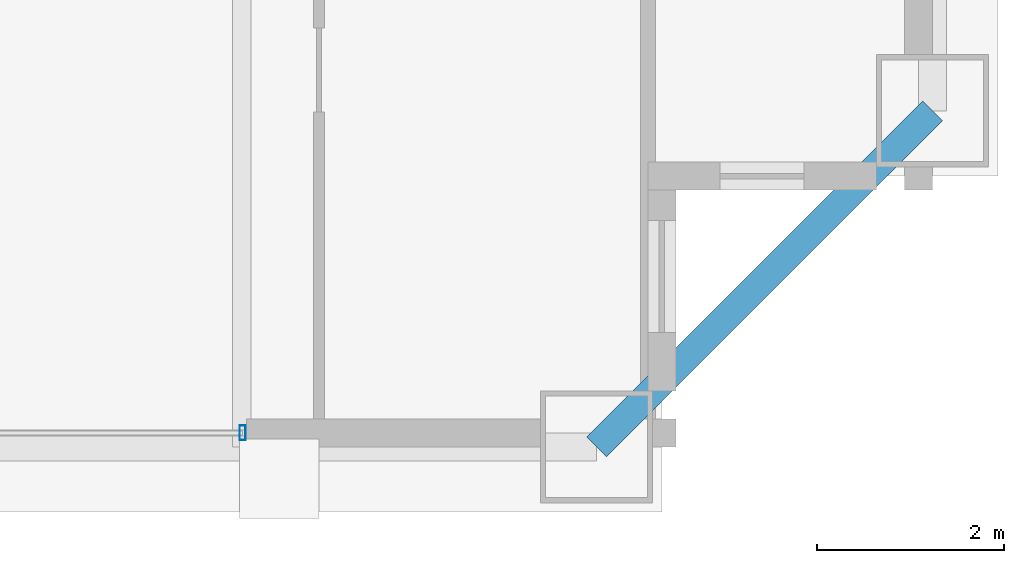
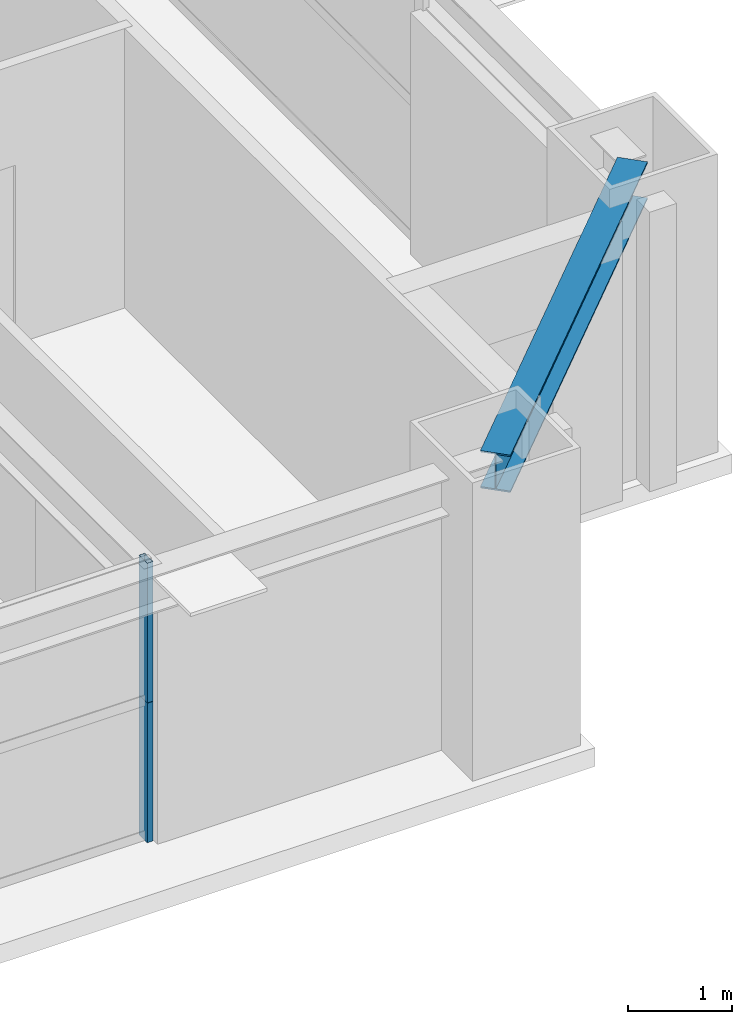
# One storey, part 15 of 37: 2 members, 1 beam, 1 element without a shape of its own.
"""IFC4 building model written with IfcOpenShell, lengths in metres."""

from ifc_helpers import new_model, si_unit, direction, frame, origin, origin_2d, place, context, subcontext, project, spatial, hollow_rectangle, i_section, extrude, source, transform, mapped, material, layer, layer_set, material_profile, profile_set, type_object, element, aggregate, save


model = new_model("IFC4")

# Units and contexts
model_context = context("Model", 3, precision=1e-05, world=origin(), true_north=direction((0.0, 1.0)))
body_context = subcontext(model_context, "Body", "Model", "MODEL_VIEW")
ifc_project = project(units=[si_unit("LENGTHUNIT", "METRE"), si_unit("AREAUNIT", "SQUARE_METRE"), si_unit("VOLUMEUNIT", "CUBIC_METRE"), si_unit("PLANEANGLEUNIT", "RADIAN"), si_unit("MASSUNIT", "GRAM", prefix="KILO"), si_unit("THERMODYNAMICTEMPERATUREUNIT", "KELVIN"), si_unit("POWERUNIT", "WATT")], contexts=[model_context])

# Site, building, storey
site_placement = place(None, origin())
site = spatial("IfcSite", under=ifc_project, at=site_placement, CompositionType="ELEMENT")
building_placement = place(site_placement, origin())
building = spatial("IfcBuilding", under=site, at=building_placement, Name="Yuzanri Waterfront Tower", CompositionType="ELEMENT")
storey_placement = place(building_placement, frame((0.0, 0.0, 252.10009765625)))
storey = spatial("IfcBuildingStorey", under=building, at=storey_placement, Name="L67", CompositionType="ELEMENT", Elevation=252.10009765625)

# Beam
ifc_material_1 = material(Name="Steel Q355B", Category="steel")
ifc_material_profile_1 = material_profile(ifc_material_1, i_section(OverallWidth=0.300048828125, OverallDepth=0.43994140625, WebThickness=0.010986328125, FlangeThickness=0.01806640625, at=origin_2d()), Name="HM 440x300x11x18")
ifc_profile_set_1 = profile_set([ifc_material_profile_1], Name="Steel Q355B")
beam_type = type_object("IfcBeamType", Name="Perimeter Spandrel Q355B HM 440x300", PredefinedType="SPANDREL", material=ifc_profile_set_1)
shared_shape_1 = source(origin(), body_context, "Body", "SweptSolid", [
    extrude(i_section(OverallWidth=0.300048828125, OverallDepth=0.43994140625, WebThickness=0.010986328125, FlangeThickness=0.01806640625, at=origin_2d()), origin(), (0.0, 0.0, 1.0), 5.09130859375),
])
beam_placement = place(storey_placement, frame((54.0, 5.199951171875, 3.059814453125), z_axis=(0.707106781187, 0.707106781187, 0.0), x_axis=(-0.707106781187, 0.707106781187, 0.0)))
element("IfcBeam", 1, at=beam_placement, inside=storey, type_object=beam_type, Name="L67 Perimeter Spandrel S3-E1", PredefinedType="SPANDREL", context=body_context, shape_type="MappedRepresentation", body=[
    mapped(shared_shape_1, transform((0.0, 0.0, 0.0), scale=1.0)),
])

# Curtain wall, members
ifc_material_2 = material(Name="Anodized Architectural Bronze", Category="metal")
ifc_layer = layer(ifc_material_2, 0.159912109375)
ifc_layer_set = layer_set([ifc_layer], Name="Anodized Architectural Bronze")
curtain_wall_type = type_object("IfcCurtainWallType", Name="Anodized Bronze Mid-Rise Residential Acoustic Unitized Curtain Wall 7200", PredefinedType="NOTDEFINED", material=ifc_layer_set)
curtain_wall_placement = place(storey_placement, origin())
curtain_wall = element("IfcCurtainWall", 2, at=curtain_wall_placement, inside=storey, type_object=curtain_wall_type, Name="L67 Curtain Wall CW-L67-SR", PredefinedType="NOTDEFINED")
ifc_material_3 = material(Name="Anodized Architectural Bronze", Category="metal")
ifc_material_profile_2 = material_profile(ifc_material_3, hollow_rectangle(XDim=0.06494140625, YDim=0.159912109375, WallThickness=0.00341796875, at=origin_2d()), Name="CWM 65x160")
ifc_profile_set_2 = profile_set([ifc_material_profile_2], Name="Anodized Architectural Bronze")
member_type = type_object("IfcMemberType", Name="Anodized Bronze Upper-Zone Curtain-Wall Mullion 65x160", PredefinedType="MULLION", material=ifc_profile_set_2)
shared_shape_2 = source(origin(), body_context, "Body", "SweptSolid", [
    extrude(hollow_rectangle(XDim=0.06494140625, YDim=0.159912109375, WallThickness=0.00341796875, at=origin_2d()), origin(), (0.0, 0.0, 1.0), 1.637939453125),
])
member_1_placement = place(storey_placement, frame((50.2099609375, 5.35009765625, 0.0), z_axis=(0.0, 0.0, 1.0), x_axis=(1.0, 0.0, 0.0)))
member_1 = element("IfcMember", 3, at=member_1_placement, type_object=member_type, Name="CW-L67-SR Lower Mullion 02", PredefinedType="MULLION", context=body_context, shape_type="MappedRepresentation", body=[
    mapped(shared_shape_2, transform((0.0, 0.0, 0.0), scale=1.0)),
])
member_2_placement = place(storey_placement, frame((50.2099609375, 5.35009765625, 1.641845703125), z_axis=(0.0, 0.0, 1.0), x_axis=(1.0, 0.0, 0.0)))
member_2 = element("IfcMember", 4, at=member_2_placement, type_object=member_type, Name="CW-L67-SR Upper Mullion 02", PredefinedType="MULLION", context=body_context, shape_type="MappedRepresentation", body=[
    mapped(shared_shape_2, transform((0.0, 0.0, 0.0), scale=1.0)),
])
aggregate(curtain_wall, [member_1, member_2])

save(model, "model.ifc")
